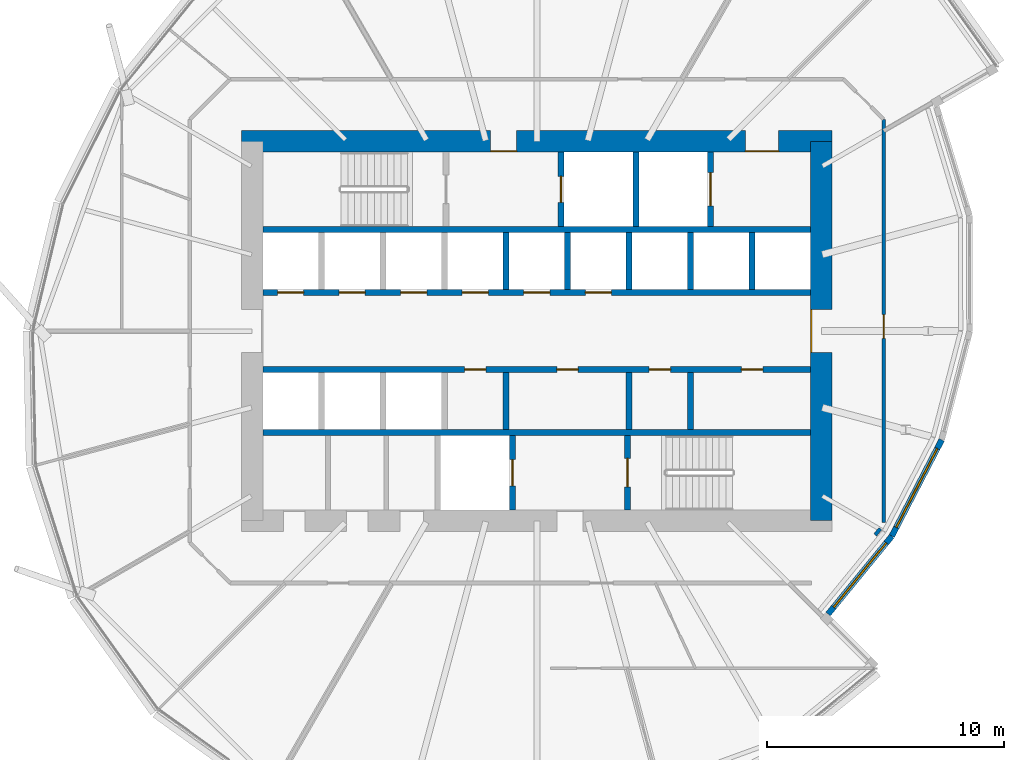
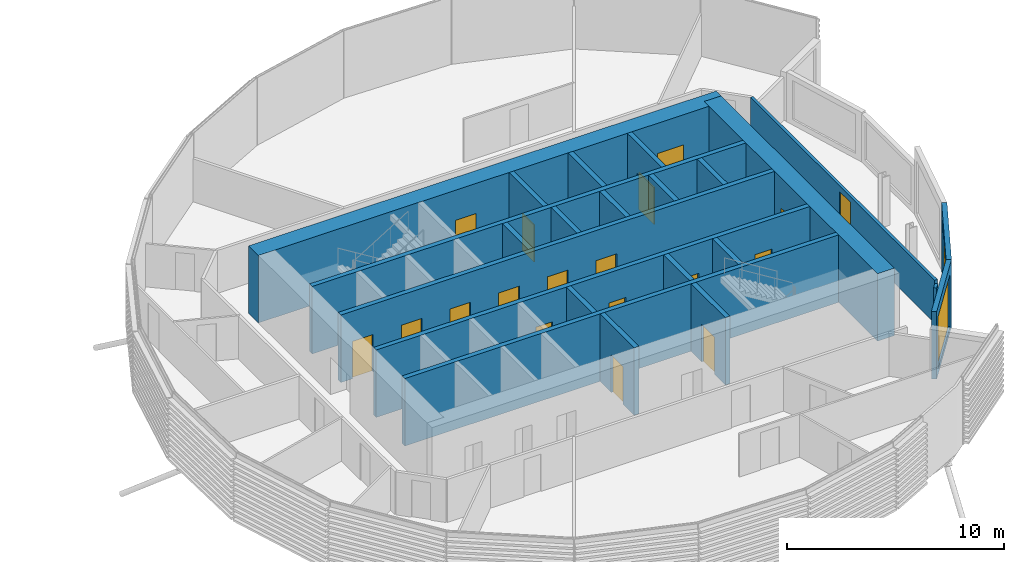
# One storey, part 24 of 38: 23 walls, 18 doors, 2 windows, 20 openings.
"""IFC4 building model written with IfcOpenShell, lengths in metres."""

from ifc_helpers import new_model, si_unit, direction, frame, frame_2d, origin, place, context, subcontext, project, spatial, rectangle, extrude, material, layer, layer_set, type_object, element, fill, save


model = new_model("IFC4")

# Units and contexts
model_context = context("Model", 3, precision=1e-05, world=origin(), true_north=direction((0.0, 1.0)))
body_context = subcontext(model_context, "Body", "Model", "MODEL_VIEW")
ifc_project = project(units=[si_unit("LENGTHUNIT", "METRE"), si_unit("AREAUNIT", "SQUARE_METRE"), si_unit("VOLUMEUNIT", "CUBIC_METRE"), si_unit("PLANEANGLEUNIT", "RADIAN"), si_unit("MASSUNIT", "GRAM", prefix="KILO")], contexts=[model_context])

# Site, building, storey
site_placement = place(None, origin())
site = spatial("IfcSite", under=ifc_project, at=site_placement, CompositionType="ELEMENT")
building_placement = place(site_placement, origin())
building = spatial("IfcBuilding", under=site, at=building_placement, Name="Rimbun Link Towers", CompositionType="ELEMENT")
storey_placement = place(building_placement, frame((0.0, 0.0, 49.0)))
storey = spatial("IfcBuildingStorey", under=building, at=storey_placement, Name="L11", CompositionType="ELEMENT", Elevation=49.0)

# Wall, opening, window
ifc_material_1 = material(Name="Dark enamelled glass spandrel on insulated aluminium backpan", Category="aluminium")
ifc_layer_1 = layer(ifc_material_1, 0.25)
ifc_layer_set_1 = layer_set([ifc_layer_1], Name="CS dark enamelled spandrel wall 250")
wall_type_1 = type_object("IfcWallType", Name="CS dark enamelled spandrel wall 250", PredefinedType="STANDARD", material=ifc_layer_set_1)
wall_1_placement = place(storey_placement, frame((46.72021484375, -8.6513671875, 0.0), z_axis=(0.0, 0.0, 1.0), x_axis=(-0.632842569206, -0.774280493491, 0.0)))
wall_1 = element("IfcWall", 1, at=wall_1_placement, inside=storey, type_object=wall_type_1, Name="Crease spandrel wall", PredefinedType="STANDARD", context=body_context, shape_type="SweptSolid", body=[
    extrude(rectangle(XDim=4.239501953125, YDim=0.25, at=frame_2d((2.11962890625, 0.0))), origin(), (0.0, 0.0, 1.0), 3.800048828125),
])
opening_1_placement = place(wall_1_placement, frame((0.36962890625, 0.0, 0.300048828125)))
opening_1 = element("IfcOpeningElement", 2, at=opening_1_placement, cuts=wall_1, Name="Opening WR35H295", PredefinedType="OPENING", context=body_context, shape_type="SweptSolid", body=[
    extrude(rectangle(XDim=3.5, YDim=2.949951171875, at=frame_2d((1.75, 1.47509765625))), frame((0.0, 0.135009765625, 0.0), z_axis=(0.0, -1.0, 0.0), x_axis=(1.0, 0.0, 0.0)), (0.0, 0.0, 1.0), 0.27001953125),
])
ifc_material_2 = material(Name="Aluminium framed fixed window, dark tinted low-e glass", Category="aluminium")
window_type_1 = type_object("IfcWindowType", Name="WR ribbon window 3500X2950", PartitioningType="SINGLE_PANEL", PredefinedType="WINDOW", material=ifc_material_2)
window_1_placement = place(opening_1_placement, origin())
window_1 = element("IfcWindow", 3, at=window_1_placement, inside=storey, type_object=window_type_1, Name="Crease ribbon window", OverallHeight=2.949951171875, OverallWidth=3.5, PartitioningType="SINGLE_PANEL", PredefinedType="WINDOW", context=body_context, shape_type="SweptSolid", body=[
    extrude(rectangle(XDim=3.5, YDim=2.949951171875, at=frame_2d((1.75, 1.47509765625))), frame((0.0, 0.030029296875, 0.0), z_axis=(0.0, -1.0, 0.0), x_axis=(1.0, 0.0, 0.0)), (0.0, 0.0, 1.0), 0.06005859375),
])
fill(opening_1, window_1)

wall_2_placement = place(storey_placement, frame((48.826171875, -4.589111328125, 0.0), z_axis=(0.0, 0.0, 1.0), x_axis=(-0.460248636708, -0.887790060999, 0.0)))
wall_2 = element("IfcWall", 4, at=wall_2_placement, inside=storey, type_object=wall_type_1, Name="Crease spandrel wall", PredefinedType="STANDARD", context=body_context, shape_type="SweptSolid", body=[
    extrude(rectangle(XDim=4.57568359375, YDim=0.25, at=frame_2d((2.287841796875, 0.0))), origin(), (0.0, 0.0, 1.0), 3.800048828125),
])
opening_2_placement = place(wall_2_placement, frame((0.412841796875, 0.0, 0.300048828125)))
opening_2 = element("IfcOpeningElement", 5, at=opening_2_placement, cuts=wall_2, Name="Opening WR38H295", PredefinedType="OPENING", context=body_context, shape_type="SweptSolid", body=[
    extrude(rectangle(XDim=3.75, YDim=2.949951171875, at=frame_2d((1.875, 1.47509765625))), frame((0.0, 0.135009765625, 0.0), z_axis=(0.0, -1.0, 0.0), x_axis=(1.0, 0.0, 0.0)), (0.0, 0.0, 1.0), 0.27001953125),
])
ifc_material_3 = material(Name="Aluminium framed fixed window, dark tinted low-e glass", Category="aluminium")
window_type_2 = type_object("IfcWindowType", Name="WR ribbon window 3750X2950", PartitioningType="SINGLE_PANEL", PredefinedType="WINDOW", material=ifc_material_3)
window_2_placement = place(opening_2_placement, origin())
window_2 = element("IfcWindow", 6, at=window_2_placement, inside=storey, type_object=window_type_2, Name="Crease ribbon window", OverallHeight=2.949951171875, OverallWidth=3.75, PartitioningType="SINGLE_PANEL", PredefinedType="WINDOW", context=body_context, shape_type="SweptSolid", body=[
    extrude(rectangle(XDim=3.75, YDim=2.949951171875, at=frame_2d((1.875, 1.47509765625))), frame((0.0, 0.030029296875, 0.0), z_axis=(0.0, -1.0, 0.0), x_axis=(1.0, 0.0, 0.0)), (0.0, 0.0, 1.0), 0.06005859375),
])
fill(opening_2, window_2)

# Wall, openings, doors
ifc_material_4 = material(Name="Concrete C60/75", Category="concrete")
ifc_layer_2 = layer(ifc_material_4, 0.89990234375)
ifc_layer_set_2 = layer_set([ifc_layer_2], Name="Core shear wall 900")
wall_type_2 = type_object("IfcWallType", Name="Core shear wall 900", PredefinedType="SHEAR", material=ifc_layer_set_2)
wall_3_placement = place(storey_placement, frame((19.300048828125, 8.0, 0.0), z_axis=(0.0, 0.0, 1.0), x_axis=(1.0, 0.0, 0.0)))
wall_3 = element("IfcWall", 7, at=wall_3_placement, inside=storey, type_object=wall_type_2, Name="L11 T2 core wall N", PredefinedType="SHEAR", context=body_context, shape_type="SweptSolid", body=[
    extrude(rectangle(XDim=24.89990234375, YDim=0.89990234375, at=frame_2d((12.449951171875, 0.0))), origin(), (0.0, 0.0, 1.0), 3.800048828125),
])
opening_3_placement = place(wall_3_placement, frame((10.5, 0.0, 0.0)))
opening_3 = element("IfcOpeningElement", 8, at=opening_3_placement, cuts=wall_3, Name="Opening C2DCF01N", PredefinedType="OPENING", context=body_context, shape_type="SweptSolid", body=[
    extrude(rectangle(XDim=1.10009765625, YDim=2.10009765625, at=frame_2d((0.550048828125, 1.050048828125))), frame((0.0, 0.4599609375, 0.0), z_axis=(0.0, -1.0, 0.0), x_axis=(1.0, 0.0, 0.0)), (0.0, 0.0, 1.0), 0.919921875),
])
opening_4_placement = place(wall_3_placement, frame((21.25, 0.0, 0.0)))
opening_4 = element("IfcOpeningElement", 9, at=opening_4_placement, cuts=wall_3, Name="Opening C2DSL02N", PredefinedType="OPENING", context=body_context, shape_type="SweptSolid", body=[
    extrude(rectangle(XDim=1.39990234375, YDim=2.10009765625, at=frame_2d((0.699951171875, 1.050048828125))), frame((0.0, 0.4599609375, 0.0), z_axis=(0.0, -1.0, 0.0), x_axis=(1.0, 0.0, 0.0)), (0.0, 0.0, 1.0), 0.919921875),
])
ifc_material_5 = material(Name="Steel fire door set", Category="steel")
door_type_1 = type_object("IfcDoorType", Name="Core fire door single", OperationType="SINGLE_SWING_LEFT", PredefinedType="DOOR", material=ifc_material_5)
door_1_placement = place(opening_3_placement, origin())
door_1 = element("IfcDoor", 10, at=door_1_placement, inside=storey, type_object=door_type_1, Name="L11 T2 firefighting lobby n door", OperationType="SINGLE_SWING_RIGHT", OverallHeight=2.10009765625, OverallWidth=1.10009765625, PredefinedType="DOOR", context=body_context, shape_type="SweptSolid", body=[
    extrude(rectangle(XDim=1.10009765625, YDim=2.10009765625, at=frame_2d((0.550048828125, 1.050048828125))), frame((0.0, -0.39990234375, 0.0), z_axis=(0.0, -1.0, 0.0), x_axis=(1.0, 0.0, 0.0)), (0.0, 0.0, 1.0), 0.050048828125),
])
fill(opening_3, door_1)
ifc_material_6 = material(Name="Steel fire door set", Category="steel")
door_type_2 = type_object("IfcDoorType", Name="Service lobby door double", OperationType="DOUBLE_DOOR_SINGLE_SWING", PredefinedType="DOOR", material=ifc_material_6)
door_2_placement = place(opening_4_placement, origin())
door_2 = element("IfcDoor", 11, at=door_2_placement, inside=storey, type_object=door_type_2, Name="L11 T2 service lobby door", OperationType="DOUBLE_DOOR_SINGLE_SWING", OverallHeight=2.10009765625, OverallWidth=1.39990234375, PredefinedType="DOOR", context=body_context, shape_type="SweptSolid", body=[
    extrude(rectangle(XDim=1.39990234375, YDim=2.10009765625, at=frame_2d((0.699951171875, 1.050048828125))), frame((0.0, -0.39990234375, 0.0), z_axis=(0.0, -1.0, 0.0), x_axis=(1.0, 0.0, 0.0)), (0.0, 0.0, 1.0), 0.050048828125),
])
fill(opening_4, door_2)

# Wall, opening, door
wall_4_placement = place(storey_placement, frame((43.75, -8.0, 0.0), z_axis=(0.0, 0.0, 1.0), x_axis=(0.0, 1.0, 0.0)))
wall_4 = element("IfcWall", 12, at=wall_4_placement, inside=storey, type_object=wall_type_2, Name="L11 T2 core wall E", PredefinedType="SHEAR", context=body_context, shape_type="SweptSolid", body=[
    extrude(rectangle(XDim=16.0, YDim=0.89990234375, at=frame_2d((8.0, 0.0))), origin(), (0.0, 0.0, 1.0), 3.800048828125),
])
opening_5_placement = place(wall_4_placement, frame((7.10009765625, 0.0, 0.0)))
opening_5 = element("IfcOpeningElement", 13, at=opening_5_placement, cuts=wall_4, Name="Opening C2DCL01E", PredefinedType="OPENING", context=body_context, shape_type="SweptSolid", body=[
    extrude(rectangle(XDim=1.800048828125, YDim=2.10009765625, at=frame_2d((0.89990234375, 1.050048828125))), frame((0.0, 0.4599609375, 0.0), z_axis=(0.0, -1.0, 0.0), x_axis=(1.0, 0.0, 0.0)), (0.0, 0.0, 1.0), 0.919921875),
])
ifc_material_7 = material(Name="Steel fire door set", Category="steel")
door_type_3 = type_object("IfcDoorType", Name="Core lobby door double", OperationType="DOUBLE_DOOR_SINGLE_SWING", PredefinedType="DOOR", material=ifc_material_7)
door_3_placement = place(opening_5_placement, origin())
door_3 = element("IfcDoor", 14, at=door_3_placement, inside=storey, type_object=door_type_3, Name="L11 T2 lift lobby door", OperationType="DOUBLE_DOOR_SINGLE_SWING", OverallHeight=2.10009765625, OverallWidth=1.800048828125, PredefinedType="DOOR", context=body_context, shape_type="SweptSolid", body=[
    extrude(rectangle(XDim=1.800048828125, YDim=2.10009765625, at=frame_2d((0.89990234375, 1.050048828125))), frame((0.0, 0.4501953125, 0.0), z_axis=(0.0, -1.0, 0.0), x_axis=(1.0, 0.0, 0.0)), (0.0, 0.0, 1.0), 0.050048828125),
])
fill(opening_5, door_3)

ifc_material_8 = material(Name="Plasterboard on steel stud, mineral wool", Category="steel")
ifc_layer_3 = layer(ifc_material_8, 0.14990234375)
ifc_layer_set_3 = layer_set([ifc_layer_3], Name="Corridor wall EI 30 150 mm")
wall_type_3 = type_object("IfcWallType", Name="Corridor wall EI 30 150 mm", PredefinedType="PARTITIONING", material=ifc_layer_set_3)
wall_5_placement = place(storey_placement, frame((46.375, 8.9267578125, 0.0), z_axis=(0.0, 0.0, 1.0), x_axis=(0.0, -1.0, 0.0)))
wall_5 = element("IfcWall", 15, at=wall_5_placement, inside=storey, type_object=wall_type_3, Name="Corridor wall EI 30 150 mm", PredefinedType="PARTITIONING", context=body_context, shape_type="SweptSolid", body=[
    extrude(rectangle(XDim=16.99462890625, YDim=0.14990234375, at=frame_2d((8.497314453125, 0.0))), origin(), (0.0, 0.0, 1.0), 2.419921875),
])
opening_6_placement = place(wall_5_placement, frame((8.23876953125, 0.0, 0.0)))
opening_6 = element("IfcOpeningElement", 16, at=opening_6_placement, cuts=wall_5, Name="Opening D01", PredefinedType="OPENING", context=body_context, shape_type="SweptSolid", body=[
    extrude(rectangle(XDim=1.0, YDim=2.10009765625, at=frame_2d((0.5, 1.050048828125))), frame((0.0, 0.0849609375, 0.0), z_axis=(0.0, -1.0, 0.0), x_axis=(1.0, 0.0, 0.0)), (0.0, 0.0, 1.0), 0.169921875),
])
ifc_material_9 = material(Name="Fire-resisting timber door leaf", Category="wood")
door_type_4 = type_object("IfcDoorType", Name="Fire door FD30S 1000", OperationType="NOTDEFINED", PredefinedType="DOOR", material=ifc_material_9)
door_4_placement = place(opening_6_placement, origin())
door_4 = element("IfcDoor", 17, at=door_4_placement, inside=storey, type_object=door_type_4, Name="Fire door FD30S 1000 to Terrace office", OperationType="SINGLE_SWING_RIGHT", OverallHeight=2.10009765625, OverallWidth=1.0, PredefinedType="DOOR", context=body_context, shape_type="SweptSolid", body=[
    extrude(rectangle(XDim=1.0, YDim=2.10009765625, at=frame_2d((0.5, 1.050048828125))), frame((0.0, 0.02490234375, 0.0), z_axis=(0.0, -1.0, 0.0), x_axis=(1.0, 0.0, 0.0)), (0.0, 0.0, 1.0), 0.050048828125),
])
fill(opening_6, door_4)

# Walls
wall_6_placement = place(storey_placement, frame((46.0205078125, -8.5986328125, 0.0), z_axis=(0.0, 0.0, 1.0), x_axis=(0.63292688177, 0.774211574657, 0.0)))
element("IfcWall", 18, at=wall_6_placement, inside=storey, type_object=wall_type_3, Name="Corridor wall EI 30 150 mm", PredefinedType="PARTITIONING", context=body_context, shape_type="SweptSolid", body=[
    extrude(rectangle(XDim=0.342041015625, YDim=0.14990234375, at=frame_2d((0.1708984375, 0.0))), origin(), (0.0, 0.0, 1.0), 2.419921875),
])
ifc_material_10 = material(Name="Concrete C60/75", Category="concrete")
ifc_layer_4 = layer(ifc_material_10, 0.25)
ifc_layer_set_4 = layer_set([ifc_layer_4], Name="Shaft wall 250")
wall_type_4 = type_object("IfcWallType", Name="Shaft wall 250", PredefinedType="SHEAR", material=ifc_layer_set_4)
for number, where, z_axis, x_axis, name in (
    (19, (20.199951171875, 4.27490234375, 0.0), (0.0, 0.0, 1.0), (1.0, 0.0, 0.0), "L11 T2 core wall BN"),
    (20, (20.199951171875, -4.27490234375, 0.0), (0.0, 0.0, 1.0), (1.0, 0.0, 0.0), "L11 T2 core wall BS"),
):
    element("IfcWall", number, at=place(storey_placement, frame(where, z_axis=z_axis, x_axis=x_axis)), inside=storey, type_object=wall_type_4, Name=name, PredefinedType="SHEAR", context=body_context, shape_type="SweptSolid", body=[
        extrude(rectangle(XDim=23.10009765625, YDim=0.25, at=frame_2d((11.550048828125, 0.0))), origin(), (0.0, 0.0, 1.0), 3.800048828125),
    ])

# Wall, openings, doors
wall_7_placement = place(storey_placement, frame((20.199951171875, 1.625, 0.0), z_axis=(0.0, 0.0, 1.0), x_axis=(1.0, 0.0, 0.0)))
wall_7 = element("IfcWall", 21, at=wall_7_placement, inside=storey, type_object=wall_type_4, Name="L11 T2 core wall FN", PredefinedType="SHEAR", context=body_context, shape_type="SweptSolid", body=[
    extrude(rectangle(XDim=23.10009765625, YDim=0.25, at=frame_2d((11.550048828125, 0.0))), origin(), (0.0, 0.0, 1.0), 3.800048828125),
])
opening_7_placement = place(wall_7_placement, frame((0.622314453125, 0.0, 0.0)))
opening_7 = element("IfcOpeningElement", 22, at=opening_7_placement, cuts=wall_7, Name="Opening LD-T2-LR1", PredefinedType="OPENING", context=body_context, shape_type="SweptSolid", body=[
    extrude(rectangle(XDim=1.10009765625, YDim=2.10009765625, at=frame_2d((0.550048828125, 1.050048828125))), frame((0.0, 0.135009765625, 0.0), z_axis=(0.0, -1.0, 0.0), x_axis=(1.0, 0.0, 0.0)), (0.0, 0.0, 1.0), 0.27001953125),
])
opening_8_placement = place(wall_7_placement, frame((3.216796875, 0.0, 0.0)))
opening_8 = element("IfcOpeningElement", 23, at=opening_8_placement, cuts=wall_7, Name="Opening LD-T2-LR2", PredefinedType="OPENING", context=body_context, shape_type="SweptSolid", body=[
    extrude(rectangle(XDim=1.10009765625, YDim=2.10009765625, at=frame_2d((0.550048828125, 1.050048828125))), frame((0.0, 0.135009765625, 0.0), z_axis=(0.0, -1.0, 0.0), x_axis=(1.0, 0.0, 0.0)), (0.0, 0.0, 1.0), 0.27001953125),
])
opening_9_placement = place(wall_7_placement, frame((5.81103515625, 0.0, 0.0)))
opening_9 = element("IfcOpeningElement", 24, at=opening_9_placement, cuts=wall_7, Name="Opening LD-T2-LR3", PredefinedType="OPENING", context=body_context, shape_type="SweptSolid", body=[
    extrude(rectangle(XDim=1.10009765625, YDim=2.10009765625, at=frame_2d((0.550048828125, 1.050048828125))), frame((0.0, 0.135009765625, 0.0), z_axis=(0.0, -1.0, 0.0), x_axis=(1.0, 0.0, 0.0)), (0.0, 0.0, 1.0), 0.27001953125),
])
opening_10_placement = place(wall_7_placement, frame((8.405517578125, 0.0, 0.0)))
opening_10 = element("IfcOpeningElement", 25, at=opening_10_placement, cuts=wall_7, Name="Opening LD-T2-LR4", PredefinedType="OPENING", context=body_context, shape_type="SweptSolid", body=[
    extrude(rectangle(XDim=1.10009765625, YDim=2.10009765625, at=frame_2d((0.550048828125, 1.050048828125))), frame((0.0, 0.135009765625, 0.0), z_axis=(0.0, -1.0, 0.0), x_axis=(1.0, 0.0, 0.0)), (0.0, 0.0, 1.0), 0.27001953125),
])
opening_11_placement = place(wall_7_placement, frame((11.0, 0.0, 0.0)))
opening_11 = element("IfcOpeningElement", 26, at=opening_11_placement, cuts=wall_7, Name="Opening LD-T2-LR5", PredefinedType="OPENING", context=body_context, shape_type="SweptSolid", body=[
    extrude(rectangle(XDim=1.10009765625, YDim=2.10009765625, at=frame_2d((0.550048828125, 1.050048828125))), frame((0.0, 0.135009765625, 0.0), z_axis=(0.0, -1.0, 0.0), x_axis=(1.0, 0.0, 0.0)), (0.0, 0.0, 1.0), 0.27001953125),
])
opening_12_placement = place(wall_7_placement, frame((13.594482421875, 0.0, 0.0)))
opening_12 = element("IfcOpeningElement", 27, at=opening_12_placement, cuts=wall_7, Name="Opening LD-T2-LR6", PredefinedType="OPENING", context=body_context, shape_type="SweptSolid", body=[
    extrude(rectangle(XDim=1.10009765625, YDim=2.10009765625, at=frame_2d((0.550048828125, 1.050048828125))), frame((0.0, 0.135009765625, 0.0), z_axis=(0.0, -1.0, 0.0), x_axis=(1.0, 0.0, 0.0)), (0.0, 0.0, 1.0), 0.27001953125),
])
ifc_material_11 = material(Name="Stainless steel grade 316", Category="steel")
door_type_5 = type_object("IfcDoorType", Name="Lift landing door", OperationType="DOUBLE_DOOR_SLIDING", PredefinedType="DOOR", material=ifc_material_11)
door_5_placement = place(opening_7_placement, origin())
door_5 = element("IfcDoor", 28, at=door_5_placement, inside=storey, type_object=door_type_5, Name="L11 T2 lift LR1 landing door", OperationType="DOUBLE_DOOR_SLIDING", OverallHeight=2.10009765625, OverallWidth=1.10009765625, PredefinedType="DOOR", context=body_context, shape_type="SweptSolid", body=[
    extrude(rectangle(XDim=1.10009765625, YDim=2.10009765625, at=frame_2d((0.550048828125, 1.050048828125))), frame((0.0, 0.02490234375, 0.0), z_axis=(0.0, -1.0, 0.0), x_axis=(1.0, 0.0, 0.0)), (0.0, 0.0, 1.0), 0.050048828125),
])
fill(opening_7, door_5)
door_6_placement = place(opening_8_placement, origin())
door_6 = element("IfcDoor", 29, at=door_6_placement, inside=storey, type_object=door_type_5, Name="L11 T2 lift LR2 landing door", OperationType="DOUBLE_DOOR_SLIDING", OverallHeight=2.10009765625, OverallWidth=1.10009765625, PredefinedType="DOOR", context=body_context, shape_type="SweptSolid", body=[
    extrude(rectangle(XDim=1.10009765625, YDim=2.10009765625, at=frame_2d((0.550048828125, 1.050048828125))), frame((0.0, 0.02490234375, 0.0), z_axis=(0.0, -1.0, 0.0), x_axis=(1.0, 0.0, 0.0)), (0.0, 0.0, 1.0), 0.050048828125),
])
fill(opening_8, door_6)
door_7_placement = place(opening_9_placement, origin())
door_7 = element("IfcDoor", 30, at=door_7_placement, inside=storey, type_object=door_type_5, Name="L11 T2 lift LR3 landing door", OperationType="DOUBLE_DOOR_SLIDING", OverallHeight=2.10009765625, OverallWidth=1.10009765625, PredefinedType="DOOR", context=body_context, shape_type="SweptSolid", body=[
    extrude(rectangle(XDim=1.10009765625, YDim=2.10009765625, at=frame_2d((0.550048828125, 1.050048828125))), frame((0.0, 0.02490234375, 0.0), z_axis=(0.0, -1.0, 0.0), x_axis=(1.0, 0.0, 0.0)), (0.0, 0.0, 1.0), 0.050048828125),
])
fill(opening_9, door_7)
door_8_placement = place(opening_10_placement, origin())
door_8 = element("IfcDoor", 31, at=door_8_placement, inside=storey, type_object=door_type_5, Name="L11 T2 lift LR4 landing door", OperationType="DOUBLE_DOOR_SLIDING", OverallHeight=2.10009765625, OverallWidth=1.10009765625, PredefinedType="DOOR", context=body_context, shape_type="SweptSolid", body=[
    extrude(rectangle(XDim=1.10009765625, YDim=2.10009765625, at=frame_2d((0.550048828125, 1.050048828125))), frame((0.0, 0.02490234375, 0.0), z_axis=(0.0, -1.0, 0.0), x_axis=(1.0, 0.0, 0.0)), (0.0, 0.0, 1.0), 0.050048828125),
])
fill(opening_10, door_8)
door_9_placement = place(opening_11_placement, origin())
door_9 = element("IfcDoor", 32, at=door_9_placement, inside=storey, type_object=door_type_5, Name="L11 T2 lift LR5 landing door", OperationType="DOUBLE_DOOR_SLIDING", OverallHeight=2.10009765625, OverallWidth=1.10009765625, PredefinedType="DOOR", context=body_context, shape_type="SweptSolid", body=[
    extrude(rectangle(XDim=1.10009765625, YDim=2.10009765625, at=frame_2d((0.550048828125, 1.050048828125))), frame((0.0, 0.02490234375, 0.0), z_axis=(0.0, -1.0, 0.0), x_axis=(1.0, 0.0, 0.0)), (0.0, 0.0, 1.0), 0.050048828125),
])
fill(opening_11, door_9)
door_10_placement = place(opening_12_placement, origin())
door_10 = element("IfcDoor", 33, at=door_10_placement, inside=storey, type_object=door_type_5, Name="L11 T2 lift LR6 landing door", OperationType="DOUBLE_DOOR_SLIDING", OverallHeight=2.10009765625, OverallWidth=1.10009765625, PredefinedType="DOOR", context=body_context, shape_type="SweptSolid", body=[
    extrude(rectangle(XDim=1.10009765625, YDim=2.10009765625, at=frame_2d((0.550048828125, 1.050048828125))), frame((0.0, 0.02490234375, 0.0), z_axis=(0.0, -1.0, 0.0), x_axis=(1.0, 0.0, 0.0)), (0.0, 0.0, 1.0), 0.050048828125),
])
fill(opening_12, door_10)

wall_8_placement = place(storey_placement, frame((20.199951171875, -1.625, 0.0), z_axis=(0.0, 0.0, 1.0), x_axis=(1.0, 0.0, 0.0)))
wall_8 = element("IfcWall", 34, at=wall_8_placement, inside=storey, type_object=wall_type_4, Name="L11 T2 core wall FS", PredefinedType="SHEAR", context=body_context, shape_type="SweptSolid", body=[
    extrude(rectangle(XDim=23.10009765625, YDim=0.25, at=frame_2d((11.550048828125, 0.0))), origin(), (0.0, 0.0, 1.0), 3.800048828125),
])
opening_13_placement = place(wall_8_placement, frame((8.505615234375, 0.0, 0.0)))
opening_13 = element("IfcOpeningElement", 35, at=opening_13_placement, cuts=wall_8, Name="Opening C2DRS01FS", PredefinedType="OPENING", context=body_context, shape_type="SweptSolid", body=[
    extrude(rectangle(XDim=0.89990234375, YDim=2.10009765625, at=frame_2d((0.449951171875, 1.050048828125))), frame((0.0, 0.135009765625, 0.0), z_axis=(0.0, -1.0, 0.0), x_axis=(1.0, 0.0, 0.0)), (0.0, 0.0, 1.0), 0.27001953125),
])
opening_14_placement = place(wall_8_placement, frame((12.397216796875, 0.0, 0.0)))
opening_14 = element("IfcOpeningElement", 36, at=opening_14_placement, cuts=wall_8, Name="Opening C2DRS02FS", PredefinedType="OPENING", context=body_context, shape_type="SweptSolid", body=[
    extrude(rectangle(XDim=0.89990234375, YDim=2.10009765625, at=frame_2d((0.449951171875, 1.050048828125))), frame((0.0, 0.135009765625, 0.0), z_axis=(0.0, -1.0, 0.0), x_axis=(1.0, 0.0, 0.0)), (0.0, 0.0, 1.0), 0.27001953125),
])
opening_15_placement = place(wall_8_placement, frame((16.288818359375, 0.0, 0.0)))
opening_15 = element("IfcOpeningElement", 37, at=opening_15_placement, cuts=wall_8, Name="Opening C2DRS03FS", PredefinedType="OPENING", context=body_context, shape_type="SweptSolid", body=[
    extrude(rectangle(XDim=0.89990234375, YDim=2.10009765625, at=frame_2d((0.449951171875, 1.050048828125))), frame((0.0, 0.135009765625, 0.0), z_axis=(0.0, -1.0, 0.0), x_axis=(1.0, 0.0, 0.0)), (0.0, 0.0, 1.0), 0.27001953125),
])
opening_16_placement = place(wall_8_placement, frame((20.1806640625, 0.0, 0.0)))
opening_16 = element("IfcOpeningElement", 38, at=opening_16_placement, cuts=wall_8, Name="Opening C2DRS04FS", PredefinedType="OPENING", context=body_context, shape_type="SweptSolid", body=[
    extrude(rectangle(XDim=0.89990234375, YDim=2.10009765625, at=frame_2d((0.449951171875, 1.050048828125))), frame((0.0, 0.135009765625, 0.0), z_axis=(0.0, -1.0, 0.0), x_axis=(1.0, 0.0, 0.0)), (0.0, 0.0, 1.0), 0.27001953125),
])
ifc_material_12 = material(Name="Steel fire door set", Category="steel")
door_type_6 = type_object("IfcDoorType", Name="Core riser door", OperationType="SINGLE_SWING_LEFT", PredefinedType="DOOR", material=ifc_material_12)
door_11_placement = place(opening_13_placement, origin())
door_11 = element("IfcDoor", 39, at=door_11_placement, inside=storey, type_object=door_type_6, Name="L11 T2 cleaner store door", OperationType="SINGLE_SWING_LEFT", OverallHeight=2.10009765625, OverallWidth=0.89990234375, PredefinedType="DOOR", context=body_context, shape_type="SweptSolid", body=[
    extrude(rectangle(XDim=0.89990234375, YDim=2.10009765625, at=frame_2d((0.449951171875, 1.050048828125))), frame((0.0, 0.02490234375, 0.0), z_axis=(0.0, -1.0, 0.0), x_axis=(1.0, 0.0, 0.0)), (0.0, 0.0, 1.0), 0.050048828125),
])
fill(opening_13, door_11)
door_12_placement = place(opening_14_placement, origin())
door_12 = element("IfcDoor", 40, at=door_12_placement, inside=storey, type_object=door_type_6, Name="L11 T2 staff lounge door", OperationType="SINGLE_SWING_RIGHT", OverallHeight=2.10009765625, OverallWidth=0.89990234375, PredefinedType="DOOR", context=body_context, shape_type="SweptSolid", body=[
    extrude(rectangle(XDim=0.89990234375, YDim=2.10009765625, at=frame_2d((0.449951171875, 1.050048828125))), frame((0.0, 0.02490234375, 0.0), z_axis=(0.0, -1.0, 0.0), x_axis=(1.0, 0.0, 0.0)), (0.0, 0.0, 1.0), 0.050048828125),
])
fill(opening_14, door_12)
door_13_placement = place(opening_15_placement, origin())
door_13 = element("IfcDoor", 41, at=door_13_placement, inside=storey, type_object=door_type_6, Name="L11 T2 stationery store door", OperationType="SINGLE_SWING_LEFT", OverallHeight=2.10009765625, OverallWidth=0.89990234375, PredefinedType="DOOR", context=body_context, shape_type="SweptSolid", body=[
    extrude(rectangle(XDim=0.89990234375, YDim=2.10009765625, at=frame_2d((0.449951171875, 1.050048828125))), frame((0.0, 0.02490234375, 0.0), z_axis=(0.0, -1.0, 0.0), x_axis=(1.0, 0.0, 0.0)), (0.0, 0.0, 1.0), 0.050048828125),
])
fill(opening_15, door_13)
door_14_placement = place(opening_16_placement, origin())
door_14 = element("IfcDoor", 42, at=door_14_placement, inside=storey, type_object=door_type_6, Name="L11 T2 server room door", OperationType="SINGLE_SWING_LEFT", OverallHeight=2.10009765625, OverallWidth=0.89990234375, PredefinedType="DOOR", context=body_context, shape_type="SweptSolid", body=[
    extrude(rectangle(XDim=0.89990234375, YDim=2.10009765625, at=frame_2d((0.449951171875, 1.050048828125))), frame((0.0, 0.02490234375, 0.0), z_axis=(0.0, -1.0, 0.0), x_axis=(1.0, 0.0, 0.0)), (0.0, 0.0, 1.0), 0.050048828125),
])
fill(opening_16, door_14)

# Walls
for number, where, z_axis, x_axis, name in (
    (43, (30.452880859375, 1.75, 0.0), (0.0, 0.0, 1.0), (0.0, 1.0, 0.0), "L11 T2 core wall DN3"),
    (44, (33.047119140625, 1.75, 0.0), (0.0, 0.0, 1.0), (0.0, 1.0, 0.0), "L11 T2 core wall DN4"),
    (45, (35.6416015625, 1.75, 0.0), (0.0, 0.0, 1.0), (0.0, 1.0, 0.0), "L11 T2 core wall DN5"),
    (46, (38.236083984375, 1.75, 0.0), (0.0, 0.0, 1.0), (0.0, 1.0, 0.0), "L11 T2 core wall DN6"),
    (47, (40.83056640625, 1.75, 0.0), (0.0, 0.0, 1.0), (0.0, 1.0, 0.0), "L11 T2 core wall DN7"),
    (48, (30.452880859375, -4.14990234375, 0.0), (0.0, 0.0, 1.0), (0.0, 1.0, 0.0), "L11 T2 core wall DS3"),
    (49, (35.6416015625, -4.14990234375, 0.0), (0.0, 0.0, 1.0), (0.0, 1.0, 0.0), "L11 T2 core wall DS5"),
    (50, (38.236083984375, -4.14990234375, 0.0), (0.0, 0.0, 1.0), (0.0, 1.0, 0.0), "L11 T2 core wall DS6"),
):
    element("IfcWall", number, at=place(storey_placement, frame(where, z_axis=z_axis, x_axis=x_axis)), inside=storey, type_object=wall_type_4, Name=name, PredefinedType="SHEAR", context=body_context, shape_type="SweptSolid", body=[
        extrude(rectangle(XDim=2.39990234375, YDim=0.25, at=frame_2d((1.199951171875, 0.0))), origin(), (0.0, 0.0, 1.0), 3.800048828125),
    ])

# Wall, opening, door
wall_9_placement = place(storey_placement, frame((32.77490234375, 4.39990234375, 0.0), z_axis=(0.0, 0.0, 1.0), x_axis=(0.0, 1.0, 0.0)))
wall_9 = element("IfcWall", 51, at=wall_9_placement, inside=storey, type_object=wall_type_4, Name="L11 T2 core wall A2", PredefinedType="SHEAR", context=body_context, shape_type="SweptSolid", body=[
    extrude(rectangle(XDim=3.150146484375, YDim=0.25, at=frame_2d((1.5751953125, 0.0))), origin(), (0.0, 0.0, 1.0), 3.800048828125),
])
opening_17_placement = place(wall_9_placement, frame((1.02490234375, 0.0, 0.0)))
opening_17 = element("IfcOpeningElement", 52, at=opening_17_placement, cuts=wall_9, Name="Opening LD-T2-FF1", PredefinedType="OPENING", context=body_context, shape_type="SweptSolid", body=[
    extrude(rectangle(XDim=1.10009765625, YDim=2.10009765625, at=frame_2d((0.550048828125, 1.050048828125))), frame((0.0, 0.135009765625, 0.0), z_axis=(0.0, -1.0, 0.0), x_axis=(1.0, 0.0, 0.0)), (0.0, 0.0, 1.0), 0.27001953125),
])
door_15_placement = place(opening_17_placement, origin())
door_15 = element("IfcDoor", 53, at=door_15_placement, inside=storey, type_object=door_type_5, Name="L11 T2 lift FF1 landing door", OperationType="DOUBLE_DOOR_SLIDING", OverallHeight=2.10009765625, OverallWidth=1.10009765625, PredefinedType="DOOR", context=body_context, shape_type="SweptSolid", body=[
    extrude(rectangle(XDim=1.10009765625, YDim=2.10009765625, at=frame_2d((0.550048828125, 1.050048828125))), frame((0.0, 0.02490234375, 0.0), z_axis=(0.0, -1.0, 0.0), x_axis=(1.0, 0.0, 0.0)), (0.0, 0.0, 1.0), 0.050048828125),
])
fill(opening_17, door_15)

# Wall
wall_10_placement = place(storey_placement, frame((35.925048828125, 4.39990234375, 0.0), z_axis=(0.0, 0.0, 1.0), x_axis=(0.0, 1.0, 0.0)))
element("IfcWall", 54, at=wall_10_placement, inside=storey, type_object=wall_type_4, Name="L11 T2 core wall A3", PredefinedType="SHEAR", context=body_context, shape_type="SweptSolid", body=[
    extrude(rectangle(XDim=3.150146484375, YDim=0.25, at=frame_2d((1.5751953125, 0.0))), origin(), (0.0, 0.0, 1.0), 3.800048828125),
])

# Wall, opening, door
wall_11_placement = place(storey_placement, frame((39.074951171875, 4.39990234375, 0.0), z_axis=(0.0, 0.0, 1.0), x_axis=(0.0, 1.0, 0.0)))
wall_11 = element("IfcWall", 55, at=wall_11_placement, inside=storey, type_object=wall_type_4, Name="L11 T2 core wall A4", PredefinedType="SHEAR", context=body_context, shape_type="SweptSolid", body=[
    extrude(rectangle(XDim=3.150146484375, YDim=0.25, at=frame_2d((1.5751953125, 0.0))), origin(), (0.0, 0.0, 1.0), 3.800048828125),
])
opening_18_placement = place(wall_11_placement, frame((0.875, 0.0, 0.0)))
opening_18 = element("IfcOpeningElement", 56, at=opening_18_placement, cuts=wall_11, Name="Opening LD-T2-GL1", PredefinedType="OPENING", context=body_context, shape_type="SweptSolid", body=[
    extrude(rectangle(XDim=1.39990234375, YDim=2.10009765625, at=frame_2d((0.699951171875, 1.050048828125))), frame((0.0, 0.135009765625, 0.0), z_axis=(0.0, -1.0, 0.0), x_axis=(1.0, 0.0, 0.0)), (0.0, 0.0, 1.0), 0.27001953125),
])
ifc_material_13 = material(Name="Stainless steel grade 316", Category="steel")
door_type_7 = type_object("IfcDoorType", Name="Goods lift landing door", OperationType="DOUBLE_DOOR_SLIDING", PredefinedType="DOOR", material=ifc_material_13)
door_16_placement = place(opening_18_placement, origin())
door_16 = element("IfcDoor", 57, at=door_16_placement, inside=storey, type_object=door_type_7, Name="L11 T2 lift GL1 landing door", OperationType="DOUBLE_DOOR_SLIDING", OverallHeight=2.10009765625, OverallWidth=1.39990234375, PredefinedType="DOOR", context=body_context, shape_type="SweptSolid", body=[
    extrude(rectangle(XDim=1.39990234375, YDim=2.10009765625, at=frame_2d((0.699951171875, 1.050048828125))), frame((0.0, 0.02490234375, 0.0), z_axis=(0.0, -1.0, 0.0), x_axis=(1.0, 0.0, 0.0)), (0.0, 0.0, 1.0), 0.050048828125),
])
fill(opening_18, door_16)

wall_12_placement = place(storey_placement, frame((35.574951171875, -4.39990234375, 0.0), z_axis=(0.0, 0.0, 1.0), x_axis=(0.0, -1.0, 0.0)))
wall_12 = element("IfcWall", 58, at=wall_12_placement, inside=storey, type_object=wall_type_4, Name="L11 T2 core wall B1", PredefinedType="SHEAR", context=body_context, shape_type="SweptSolid", body=[
    extrude(rectangle(XDim=3.150146484375, YDim=0.25, at=frame_2d((1.5751953125, 0.0))), origin(), (0.0, 0.0, 1.0), 3.800048828125),
])
opening_19_placement = place(wall_12_placement, frame((0.97509765625, 0.0, 0.0)))
opening_19 = element("IfcOpeningElement", 59, at=opening_19_placement, cuts=wall_12, Name="Opening C2DST01B1", PredefinedType="OPENING", context=body_context, shape_type="SweptSolid", body=[
    extrude(rectangle(XDim=1.199951171875, YDim=2.10009765625, at=frame_2d((0.60009765625, 1.050048828125))), frame((0.0, 0.135009765625, 0.0), z_axis=(0.0, -1.0, 0.0), x_axis=(1.0, 0.0, 0.0)), (0.0, 0.0, 1.0), 0.27001953125),
])
ifc_material_14 = material(Name="Steel fire door set", Category="steel")
door_type_8 = type_object("IfcDoorType", Name="Stair door", OperationType="SINGLE_SWING_LEFT", PredefinedType="DOOR", material=ifc_material_14)
door_17_placement = place(opening_19_placement, origin())
door_17 = element("IfcDoor", 60, at=door_17_placement, inside=storey, type_object=door_type_8, Name="L11 T2 stair b door", OperationType="SINGLE_SWING_RIGHT", OverallHeight=2.10009765625, OverallWidth=1.199951171875, PredefinedType="DOOR", context=body_context, shape_type="SweptSolid", body=[
    extrude(rectangle(XDim=1.199951171875, YDim=2.10009765625, at=frame_2d((0.60009765625, 1.050048828125))), frame((0.0, 0.02490234375, 0.0), z_axis=(0.0, -1.0, 0.0), x_axis=(1.0, 0.0, 0.0)), (0.0, 0.0, 1.0), 0.050048828125),
])
fill(opening_19, door_17)

wall_13_placement = place(storey_placement, frame((30.72509765625, -4.39990234375, 0.0), z_axis=(0.0, 0.0, 1.0), x_axis=(0.0, -1.0, 0.0)))
wall_13 = element("IfcWall", 61, at=wall_13_placement, inside=storey, type_object=wall_type_4, Name="L11 T2 core wall B2", PredefinedType="SHEAR", context=body_context, shape_type="SweptSolid", body=[
    extrude(rectangle(XDim=3.150146484375, YDim=0.25, at=frame_2d((1.5751953125, 0.0))), origin(), (0.0, 0.0, 1.0), 3.800048828125),
])
opening_20_placement = place(wall_13_placement, frame((1.02490234375, 0.0, 0.0)))
opening_20 = element("IfcOpeningElement", 62, at=opening_20_placement, cuts=wall_13, Name="Opening LD-T2-FF2", PredefinedType="OPENING", context=body_context, shape_type="SweptSolid", body=[
    extrude(rectangle(XDim=1.10009765625, YDim=2.10009765625, at=frame_2d((0.550048828125, 1.050048828125))), frame((0.0, 0.135009765625, 0.0), z_axis=(0.0, -1.0, 0.0), x_axis=(1.0, 0.0, 0.0)), (0.0, 0.0, 1.0), 0.27001953125),
])
door_18_placement = place(opening_20_placement, origin())
door_18 = element("IfcDoor", 63, at=door_18_placement, inside=storey, type_object=door_type_5, Name="L11 T2 lift FF2 landing door", OperationType="DOUBLE_DOOR_SLIDING", OverallHeight=2.10009765625, OverallWidth=1.10009765625, PredefinedType="DOOR", context=body_context, shape_type="SweptSolid", body=[
    extrude(rectangle(XDim=1.10009765625, YDim=2.10009765625, at=frame_2d((0.550048828125, 1.050048828125))), frame((0.0, 0.02490234375, 0.0), z_axis=(0.0, -1.0, 0.0), x_axis=(1.0, 0.0, 0.0)), (0.0, 0.0, 1.0), 0.050048828125),
])
fill(opening_20, door_18)

save(model, "model.ifc")
